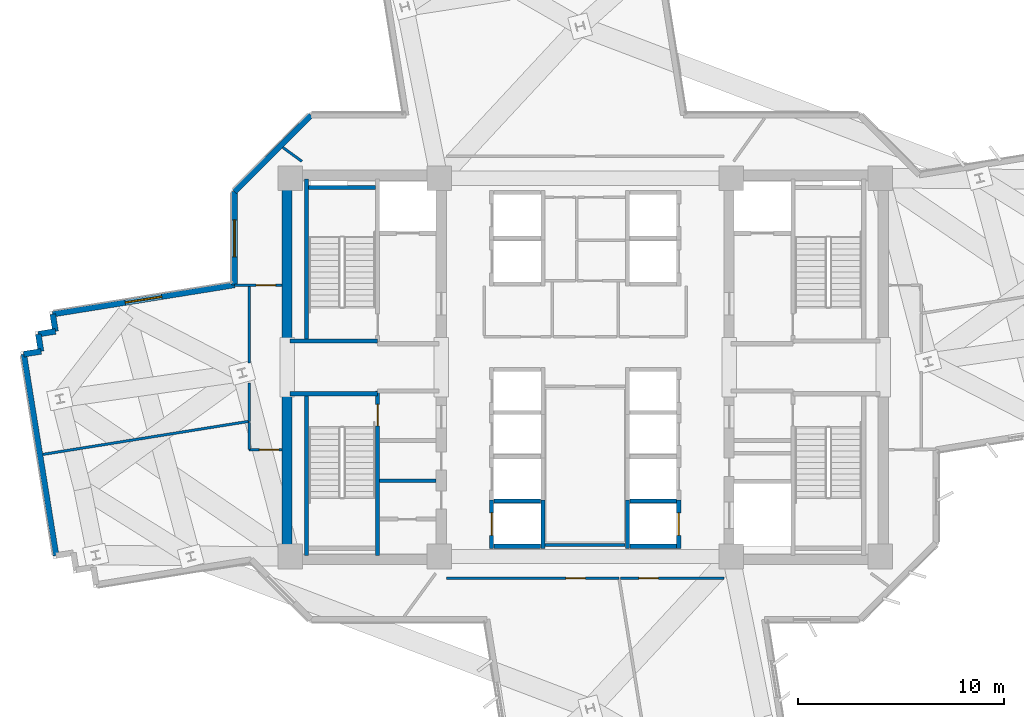
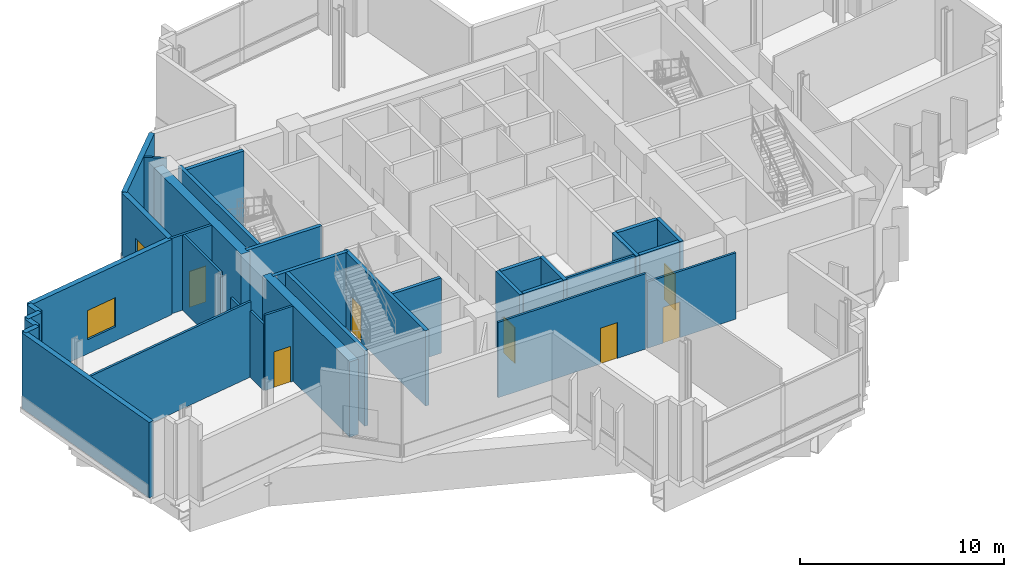
# One storey, part 5 of 12: 35 walls, 7 doors, 2 windows, 9 openings.
"""IFC4 building model written with IfcOpenShell, lengths in metres."""

from ifc_helpers import new_model, si_unit, direction, frame, frame_2d, origin, place, context, subcontext, project, spatial, rectangle, extrude, source, transform, mapped, material, layer, layer_set, type_object, element, fill, save


model = new_model("IFC4")

# Units and contexts
model_context = context("Model", 3, precision=1e-05, world=origin(), true_north=direction((0.0, 1.0)))
body_context = subcontext(model_context, "Body", "Model", "MODEL_VIEW")
ifc_project = project(units=[si_unit("LENGTHUNIT", "METRE"), si_unit("AREAUNIT", "SQUARE_METRE"), si_unit("VOLUMEUNIT", "CUBIC_METRE"), si_unit("PLANEANGLEUNIT", "RADIAN"), si_unit("MASSUNIT", "GRAM", prefix="KILO")], contexts=[model_context])

# Site, building, storey
site_placement = place(None, origin())
site = spatial("IfcSite", under=ifc_project, at=site_placement, CompositionType="ELEMENT")
building_placement = place(site_placement, origin())
building = spatial("IfcBuilding", under=site, at=building_placement, Name="Zahravan Cultural Tower", CompositionType="ELEMENT")
storey_placement = place(building_placement, frame((0.0, 0.0, 130.800048828125)))
storey = spatial("IfcBuildingStorey", under=building, at=storey_placement, Name="L29", CompositionType="ELEMENT", Elevation=130.800048828125)

# Wall, opening, window
ifc_material_1 = material(Name="Precast concrete C40/50", Category="concrete")
ifc_layer_1 = layer(ifc_material_1, 0.280029296875)
ifc_layer_set_1 = layer_set([ifc_layer_1], Name="Precast concrete C40/50")
wall_type_1 = type_object("IfcWallType", Name="EW-TC-280", PredefinedType="SOLIDWALL", material=ifc_layer_set_1)
wall_1_placement = place(storey_placement, frame((10.102294921875, 29.587890625, 0.0), z_axis=(0.0, 0.0, 1.0), x_axis=(0.987358970714, 0.158500040853, 0.0)))
wall_1 = element("IfcWall", 1, at=wall_1_placement, inside=storey, type_object=wall_type_1, Name="L29 Exterior Masonry Frame Wall 37", PredefinedType="SOLIDWALL", context=body_context, shape_type="SweptSolid", body=[
    extrude(rectangle(XDim=8.95068359375, YDim=0.280029296875, at=frame_2d((4.475341796875, 0.0))), origin(), (0.0, 0.0, 1.0), 4.52001953125),
])
opening_1_placement = place(wall_1_placement, frame((3.574951171875, 0.0, 0.85009765625)))
opening_1 = element("IfcOpeningElement", 2, at=opening_1_placement, cuts=wall_1, Name="Opening WN-02", PredefinedType="OPENING", context=body_context, shape_type="SweptSolid", body=[
    extrude(rectangle(XDim=1.800048828125, YDim=1.75, at=frame_2d((0.89990234375, 0.875))), frame((0.0, 0.14990234375, 0.0), z_axis=(0.0, -1.0, 0.0), x_axis=(1.0, 0.0, 0.0)), (0.0, 0.0, 1.0), 0.300048828125),
])
ifc_material_2 = material(Name="Low-E solar-control double glazing", Category="glass")
window_type = type_object("IfcWindowType", Name="WN-REC-1800X1750", PartitioningType="DOUBLE_PANEL_VERTICAL", PredefinedType="WINDOW", material=ifc_material_2)
shared_shape_1 = source(origin(), body_context, "Body", "SweptSolid", [
    extrude(rectangle(XDim=1.800048828125, YDim=1.75, at=frame_2d((0.89990234375, 0.875))), frame((0.0, 0.030029296875, 0.0), z_axis=(0.0, -1.0, 0.0), x_axis=(1.0, 0.0, 0.0)), (0.0, 0.0, 1.0), 0.06005859375),
])
window_1_placement = place(opening_1_placement, origin())
window_1 = element("IfcWindow", 3, at=window_1_placement, inside=storey, type_object=window_type, Name="L29 Recessed Solar Window 07", OverallHeight=1.75, OverallWidth=1.800048828125, PartitioningType="DOUBLE_PANEL_VERTICAL", PredefinedType="WINDOW", context=body_context, shape_type="MappedRepresentation", body=[
    mapped(shared_shape_1, transform((0.0, 0.0, 0.0), x_axis=(1.0, 0.0, 0.0), y_axis=(0.0, 1.0, 0.0), z_axis=(0.0, 0.0, 1.0), scale=1.0)),
])
fill(opening_1, window_1)

wall_2_placement = place(storey_placement, frame((18.93994140625, 31.006591796875, 0.0), z_axis=(0.0, 0.0, 1.0), x_axis=(0.0, 1.0, 0.0)))
wall_2 = element("IfcWall", 4, at=wall_2_placement, inside=storey, type_object=wall_type_1, Name="L29 Exterior Masonry Frame Wall 38", PredefinedType="SOLIDWALL", context=body_context, shape_type="SweptSolid", body=[
    extrude(rectangle(XDim=4.535400390625, YDim=0.280029296875, at=frame_2d((2.267578125, 0.0))), origin(), (0.0, 0.0, 1.0), 4.52001953125),
])
opening_2_placement = place(wall_2_placement, frame((1.367919921875, 0.0, 0.85009765625)))
opening_2 = element("IfcOpeningElement", 5, at=opening_2_placement, cuts=wall_2, Name="Opening WN-02", PredefinedType="OPENING", context=body_context, shape_type="SweptSolid", body=[
    extrude(rectangle(XDim=1.800048828125, YDim=1.75, at=frame_2d((0.89990234375, 0.875))), frame((0.0, 0.14990234375, 0.0), z_axis=(0.0, -1.0, 0.0), x_axis=(1.0, 0.0, 0.0)), (0.0, 0.0, 1.0), 0.300048828125),
])
window_2_placement = place(opening_2_placement, origin())
window_2 = element("IfcWindow", 6, at=window_2_placement, inside=storey, type_object=window_type, Name="L29 Recessed Solar Window 08", OverallHeight=1.75, OverallWidth=1.800048828125, PartitioningType="DOUBLE_PANEL_VERTICAL", PredefinedType="WINDOW", context=body_context, shape_type="MappedRepresentation", body=[
    mapped(shared_shape_1, transform((0.0, 0.0, 0.0), x_axis=(1.0, 0.0, 0.0), y_axis=(0.0, 1.0, 0.0), z_axis=(0.0, 0.0, 1.0), scale=1.0)),
])
fill(opening_2, window_2)

# Wall, opening, door
ifc_material_3 = material(Name="Gypsum plasterboard partition")
ifc_layer_2 = layer(ifc_material_3, 0.125)
ifc_layer_set_2 = layer_set([ifc_layer_2], Name="Gypsum plasterboard partition")
wall_type_2 = type_object("IfcWallType", Name="W-PART-125", PredefinedType="PARTITIONING", material=ifc_layer_set_2)
wall_3_placement = place(storey_placement, frame((29.257568359375, 16.740234375, 0.0), z_axis=(0.0, 0.0, 1.0), x_axis=(0.999999999577, -2.9101068e-05, 0.0)))
wall_3 = element("IfcWall", 7, at=wall_3_placement, inside=storey, type_object=wall_type_2, Name="L29 Interior Wall 085", PredefinedType="PARTITIONING", context=body_context, shape_type="SweptSolid", body=[
    extrude(rectangle(XDim=8.389404296875, YDim=0.125, at=frame_2d((4.19482421875, 0.0))), origin(), (0.0, 0.0, 1.0), 4.52001953125),
])
opening_3_placement = place(wall_3_placement, frame((5.802734375, 0.0, 0.0)))
opening_3 = element("IfcOpeningElement", 8, at=opening_3_placement, cuts=wall_3, Name="Opening D-L29-24", PredefinedType="OPENING", context=body_context, shape_type="SweptSolid", body=[
    extrude(rectangle(XDim=0.949951171875, YDim=2.14990234375, at=frame_2d((0.47509765625, 1.074951171875))), frame((0.0, 0.072509765625, 0.0), z_axis=(0.0, -1.0, 0.0), x_axis=(1.0, 0.0, 0.0)), (0.0, 0.0, 1.0), 0.14501953125),
])
ifc_material_4 = material(Name="Anodised bronze-aluminium mullion", Category="aluminium")
door_type_1 = type_object("IfcDoorType", Name="DR-ROOM-950", OperationType="NOTDEFINED", PredefinedType="DOOR", material=ifc_material_4)
shared_shape_2 = source(origin(), body_context, "Body", "SweptSolid", [
    extrude(rectangle(XDim=0.949951171875, YDim=2.14990234375, at=frame_2d((0.47509765625, 1.074951171875))), frame((0.0, 0.02490234375, 0.0), z_axis=(0.0, -1.0, 0.0), x_axis=(1.0, 0.0, 0.0)), (0.0, 0.0, 1.0), 0.050048828125),
])
door_1_placement = place(opening_3_placement, origin())
door_1 = element("IfcDoor", 9, at=door_1_placement, inside=storey, type_object=door_type_1, Name="L29 Door D-L29-24", OperationType="SINGLE_SWING_LEFT", OverallHeight=2.14990234375, OverallWidth=0.949951171875, PredefinedType="DOOR", context=body_context, shape_type="MappedRepresentation", body=[
    mapped(shared_shape_2, transform((0.0, 0.0, 0.0), x_axis=(1.0, 0.0, 0.0), y_axis=(0.0, 1.0, 0.0), z_axis=(0.0, 0.0, 1.0), scale=1.0)),
])
fill(opening_3, door_1)

wall_4_placement = place(storey_placement, frame((37.71533203125, 16.739990234375, 0.0), z_axis=(0.0, 0.0, 1.0), x_axis=(0.999999998821, 4.8564907e-05, 0.0)))
wall_4 = element("IfcWall", 10, at=wall_4_placement, inside=storey, type_object=wall_type_2, Name="L29 Interior Wall 088", PredefinedType="PARTITIONING", context=body_context, shape_type="SweptSolid", body=[
    extrude(rectangle(XDim=5.027099609375, YDim=0.125, at=frame_2d((2.513671875, 0.0))), origin(), (0.0, 0.0, 1.0), 3.97900390625),
])
opening_4_placement = place(wall_4_placement, frame((0.89697265625, 0.0, 0.0)))
opening_4 = element("IfcOpeningElement", 11, at=opening_4_placement, cuts=wall_4, Name="Opening D-L29-25", PredefinedType="OPENING", context=body_context, shape_type="SweptSolid", body=[
    extrude(rectangle(XDim=0.949951171875, YDim=2.14990234375, at=frame_2d((0.47509765625, 1.074951171875))), frame((0.0, 0.072509765625, 0.0), z_axis=(0.0, -1.0, 0.0), x_axis=(1.0, 0.0, 0.0)), (0.0, 0.0, 1.0), 0.14501953125),
])
door_2_placement = place(opening_4_placement, origin())
door_2 = element("IfcDoor", 12, at=door_2_placement, inside=storey, type_object=door_type_1, Name="L29 Door D-L29-25", OperationType="SINGLE_SWING_RIGHT", OverallHeight=2.14990234375, OverallWidth=0.949951171875, PredefinedType="DOOR", context=body_context, shape_type="MappedRepresentation", body=[
    mapped(shared_shape_2, transform((0.0, 0.0, 0.0), x_axis=(1.0, 0.0, 0.0), y_axis=(0.0, 1.0, 0.0), z_axis=(0.0, 0.0, 1.0), scale=1.0)),
])
fill(opening_4, door_2)

wall_5_placement = place(storey_placement, frame((21.2451171875, 30.999755859375, 0.0), z_axis=(0.0, 0.0, 1.0), x_axis=(-0.999995920983, -0.002856224465, 0.0)))
wall_5 = element("IfcWall", 13, at=wall_5_placement, inside=storey, type_object=wall_type_2, Name="L29 Interior Wall 094", PredefinedType="PARTITIONING", context=body_context, shape_type="SweptSolid", body=[
    extrude(rectangle(XDim=2.307861328125, YDim=0.125, at=frame_2d((1.15380859375, 0.0))), origin(), (0.0, 0.0, 1.0), 4.52001953125),
])
opening_5_placement = place(wall_5_placement, frame((0.298583984375, 0.0, 0.0)))
opening_5 = element("IfcOpeningElement", 14, at=opening_5_placement, cuts=wall_5, Name="Opening D-L29-21", PredefinedType="OPENING", context=body_context, shape_type="SweptSolid", body=[
    extrude(rectangle(XDim=0.949951171875, YDim=2.14990234375, at=frame_2d((0.47509765625, 1.074951171875))), frame((0.0, 0.072509765625, 0.0), z_axis=(0.0, -1.0, 0.0), x_axis=(1.0, 0.0, 0.0)), (0.0, 0.0, 1.0), 0.14501953125),
])
door_3_placement = place(opening_5_placement, origin())
door_3 = element("IfcDoor", 15, at=door_3_placement, inside=storey, type_object=door_type_1, Name="L29 Door D-L29-21", OperationType="SINGLE_SWING_RIGHT", OverallHeight=2.14990234375, OverallWidth=0.949951171875, PredefinedType="DOOR", context=body_context, shape_type="MappedRepresentation", body=[
    mapped(shared_shape_2, transform((0.0, 0.0, 0.0), x_axis=(1.0, 0.0, 0.0), y_axis=(0.0, 1.0, 0.0), z_axis=(0.0, 0.0, 1.0), scale=1.0)),
])
fill(opening_5, door_3)

wall_6_placement = place(storey_placement, frame((19.65087890625, 23.0009765625, 0.0), z_axis=(0.0, 0.0, 1.0), x_axis=(0.999999812387, -0.000612557312, 0.0)))
wall_6 = element("IfcWall", 16, at=wall_6_placement, inside=storey, type_object=wall_type_2, Name="L29 Interior Wall 103", PredefinedType="PARTITIONING", context=body_context, shape_type="SweptSolid", body=[
    extrude(rectangle(XDim=1.59423828125, YDim=0.125, at=frame_2d((0.797119140625, 0.0))), origin(), (0.0, 0.0, 1.0), 4.52001953125),
])
opening_6_placement = place(wall_6_placement, frame((0.502197265625, 0.0, 0.0)))
opening_6 = element("IfcOpeningElement", 17, at=opening_6_placement, cuts=wall_6, Name="Opening D-L29-22", PredefinedType="OPENING", context=body_context, shape_type="SweptSolid", body=[
    extrude(rectangle(XDim=0.949951171875, YDim=2.14990234375, at=frame_2d((0.47509765625, 1.074951171875))), frame((0.0, 0.072509765625, 0.0), z_axis=(0.0, -1.0, 0.0), x_axis=(1.0, 0.0, 0.0)), (0.0, 0.0, 1.0), 0.14501953125),
])
door_4_placement = place(opening_6_placement, origin())
door_4 = element("IfcDoor", 18, at=door_4_placement, inside=storey, type_object=door_type_1, Name="L29 Door D-L29-22", OperationType="SINGLE_SWING_LEFT", OverallHeight=2.14990234375, OverallWidth=0.949951171875, PredefinedType="DOOR", context=body_context, shape_type="MappedRepresentation", body=[
    mapped(shared_shape_2, transform((0.0, 0.0, 0.0), x_axis=(1.0, 0.0, 0.0), y_axis=(0.0, 1.0, 0.0), z_axis=(0.0, 0.0, 1.0), scale=1.0)),
])
fill(opening_6, door_4)

ifc_material_5 = material(Name="Concrete C45/55", Category="concrete")
ifc_layer_3 = layer(ifc_material_5, 0.199951171875)
ifc_layer_set_3 = layer_set([ifc_layer_3], Name="Concrete C45/55")
wall_type_3 = type_object("IfcWallType", Name="W-SHAFT-200", PredefinedType="SOLIDWALL", material=ifc_layer_set_3)
wall_7_placement = place(storey_placement, frame((25.89990234375, 17.85009765625, 0.0), z_axis=(0.0, 0.0, 1.0), x_axis=(0.0, 1.0, 0.0)))
wall_7 = element("IfcWall", 19, at=wall_7_placement, inside=storey, type_object=wall_type_3, Name="L29 Interior Wall 005", PredefinedType="SOLIDWALL", context=body_context, shape_type="SweptSolid", body=[
    extrude(rectangle(XDim=8.0, YDim=0.199951171875, at=frame_2d((4.0, 0.0))), origin(), (0.0, 0.0, 1.0), 4.52001953125),
])
opening_7_placement = place(wall_7_placement, frame((6.300048828125, 0.0, 0.0)))
opening_7 = element("IfcOpeningElement", 20, at=opening_7_placement, cuts=wall_7, Name="Opening D-L29-04", PredefinedType="OPENING", context=body_context, shape_type="SweptSolid", body=[
    extrude(rectangle(XDim=1.050048828125, YDim=2.14990234375, at=frame_2d((0.52490234375, 1.074951171875))), frame((0.0, 0.10986328125, 0.0), z_axis=(0.0, -1.0, 0.0), x_axis=(1.0, 0.0, 0.0)), (0.0, 0.0, 1.0), 0.219970703125),
])
ifc_material_6 = material(Name="Steel ASTM A572 Grade 50", Category="steel")
door_type_2 = type_object("IfcDoorType", Name="DR-STAIR-1050", OperationType="NOTDEFINED", PredefinedType="DOOR", material=ifc_material_6)
shared_shape_3 = source(origin(), body_context, "Body", "SweptSolid", [
    extrude(rectangle(XDim=1.050048828125, YDim=2.14990234375, at=frame_2d((0.52490234375, 1.074951171875))), frame((0.0, 0.02490234375, 0.0), z_axis=(0.0, -1.0, 0.0), x_axis=(1.0, 0.0, 0.0)), (0.0, 0.0, 1.0), 0.050048828125),
])
door_5_placement = place(opening_7_placement, origin())
door_5 = element("IfcDoor", 21, at=door_5_placement, inside=storey, type_object=door_type_2, Name="L29 Door D-L29-04", OperationType="SINGLE_SWING_LEFT", OverallHeight=2.14990234375, OverallWidth=1.050048828125, PredefinedType="DOOR", context=body_context, shape_type="MappedRepresentation", body=[
    mapped(shared_shape_3, transform((0.0, 0.0, 0.0), x_axis=(1.0, 0.0, 0.0), y_axis=(0.0, 1.0, 0.0), z_axis=(0.0, 0.0, 1.0), scale=1.0)),
])
fill(opening_7, door_5)

wall_8_placement = place(storey_placement, frame((31.449951171875, 18.199951171875, 0.0), z_axis=(0.0, 0.0, 1.0), x_axis=(0.0, 1.0, 0.0)))
wall_8 = element("IfcWall", 22, at=wall_8_placement, inside=storey, type_object=wall_type_3, Name="L29 Interior Wall 047", PredefinedType="SOLIDWALL", context=body_context, shape_type="SweptSolid", body=[
    extrude(rectangle(XDim=2.35009765625, YDim=0.199951171875, at=frame_2d((1.175048828125, 0.0))), origin(), (0.0, 0.0, 1.0), 4.52001953125),
])
opening_8_placement = place(wall_8_placement, frame((0.625, 0.0, 0.0)))
opening_8 = element("IfcOpeningElement", 23, at=opening_8_placement, cuts=wall_8, Name="Opening LD-L29-09", PredefinedType="OPENING", context=body_context, shape_type="SweptSolid", body=[
    extrude(rectangle(XDim=1.10009765625, YDim=2.14990234375, at=frame_2d((0.550048828125, 1.074951171875))), frame((0.0, 0.10986328125, 0.0), z_axis=(0.0, -1.0, 0.0), x_axis=(1.0, 0.0, 0.0)), (0.0, 0.0, 1.0), 0.219970703125),
])
door_type_3 = type_object("IfcDoorType", Name="DR-LIFT-1100", OperationType="DOUBLE_DOOR_SLIDING", PredefinedType="DOOR", material=ifc_material_6)
shared_shape_4 = source(origin(), body_context, "Body", "SweptSolid", [
    extrude(rectangle(XDim=1.10009765625, YDim=2.14990234375, at=frame_2d((0.550048828125, 1.074951171875))), frame((0.0, 0.02490234375, 0.0), z_axis=(0.0, -1.0, 0.0), x_axis=(1.0, 0.0, 0.0)), (0.0, 0.0, 1.0), 0.050048828125),
])
door_6_placement = place(opening_8_placement, origin())
door_6 = element("IfcDoor", 24, at=door_6_placement, inside=storey, type_object=door_type_3, Name="L29 Door LD-L29-09", OperationType="DOUBLE_DOOR_SLIDING", OverallHeight=2.14990234375, OverallWidth=1.10009765625, PredefinedType="DOOR", context=body_context, shape_type="MappedRepresentation", body=[
    mapped(shared_shape_4, transform((0.0, 0.0, 0.0), x_axis=(1.0, 0.0, 0.0), y_axis=(0.0, 1.0, 0.0), z_axis=(0.0, 0.0, 1.0), scale=1.0)),
])
fill(opening_8, door_6)

wall_9_placement = place(storey_placement, frame((40.550048828125, 18.199951171875, 0.0), z_axis=(0.0, 0.0, 1.0), x_axis=(0.0, 1.0, 0.0)))
wall_9 = element("IfcWall", 25, at=wall_9_placement, inside=storey, type_object=wall_type_3, Name="L29 Interior Wall 055", PredefinedType="SOLIDWALL", context=body_context, shape_type="SweptSolid", body=[
    extrude(rectangle(XDim=2.35009765625, YDim=0.199951171875, at=frame_2d((1.175048828125, 0.0))), origin(), (0.0, 0.0, 1.0), 4.52001953125),
])
opening_9_placement = place(wall_9_placement, frame((0.625, 0.0, 0.0)))
opening_9 = element("IfcOpeningElement", 26, at=opening_9_placement, cuts=wall_9, Name="Opening LD-L29-11", PredefinedType="OPENING", context=body_context, shape_type="SweptSolid", body=[
    extrude(rectangle(XDim=1.10009765625, YDim=2.14990234375, at=frame_2d((0.550048828125, 1.074951171875))), frame((0.0, 0.10986328125, 0.0), z_axis=(0.0, -1.0, 0.0), x_axis=(1.0, 0.0, 0.0)), (0.0, 0.0, 1.0), 0.219970703125),
])
door_7_placement = place(opening_9_placement, origin())
door_7 = element("IfcDoor", 27, at=door_7_placement, inside=storey, type_object=door_type_3, Name="L29 Door LD-L29-11", OperationType="DOUBLE_DOOR_SLIDING", OverallHeight=2.14990234375, OverallWidth=1.10009765625, PredefinedType="DOOR", context=body_context, shape_type="MappedRepresentation", body=[
    mapped(shared_shape_4, transform((0.0, 0.0, 0.0), x_axis=(1.0, 0.0, 0.0), y_axis=(0.0, 1.0, 0.0), z_axis=(0.0, 0.0, 1.0), scale=1.0)),
])
fill(opening_9, door_7)

# Walls
ifc_material_7 = material(Name="Concrete C60/75", Category="concrete")
ifc_layer_4 = layer(ifc_material_7, 0.5)
ifc_layer_set_4 = layer_set([ifc_layer_4], Name="Concrete C60/75")
wall_type_4 = type_object("IfcWallType", Name="CW-SHEAR-500-C60", PredefinedType="SHEAR", material=ifc_layer_set_4)
shared_shape_5 = source(origin(), body_context, "Body", "SweptSolid", [
    extrude(rectangle(XDim=8.550048828125, YDim=0.5, at=frame_2d((4.27490234375, 0.0))), origin(), (0.0, 0.0, 1.0), 4.52001953125),
])
for number, where, z_axis, x_axis, name in (
    (28, (21.5, 17.39990234375, 0.0), (0.0, 0.0, 1.0), (0.0, 1.0, 0.0), "L29 Core Shear Wall CW-W-WS-L29"),
    (29, (21.5, 28.050048828125, 0.0), (0.0, 0.0, 1.0), (0.0, 1.0, 0.0), "L29 Core Shear Wall CW-W-WN-L29"),
):
    element("IfcWall", number, at=place(storey_placement, frame(where, z_axis=z_axis, x_axis=x_axis)), inside=storey, type_object=wall_type_4, Name=name, PredefinedType="SHEAR", context=body_context, shape_type="MappedRepresentation", body=[
        mapped(shared_shape_5, transform((0.0, 0.0, 0.0), x_axis=(1.0, 0.0, 0.0), y_axis=(0.0, 1.0, 0.0), z_axis=(0.0, 0.0, 1.0), scale=1.0)),
    ])
shared_shape_6 = source(origin(), body_context, "Body", "SweptSolid", [
    extrude(rectangle(XDim=0.849853515625, YDim=0.280029296875, at=frame_2d((0.4248046875, 0.0))), origin(), (0.0, 0.0, 1.0), 4.52001953125),
])
for number, where, z_axis, x_axis, name in (
    (30, (9.39794921875, 28.614013671875, 0.0), (0.0, 0.0, 1.0), (0.98734724292, 0.15857308062, 0.0), "L29 Exterior Masonry Frame Wall 35"),
    (31, (10.237060546875, 28.748779296875, 0.0), (0.0, 0.0, 1.0), (-0.15857308062, 0.98734724292, 0.0), "L29 Exterior Masonry Frame Wall 36"),
):
    element("IfcWall", number, at=place(storey_placement, frame(where, z_axis=z_axis, x_axis=x_axis)), inside=storey, type_object=wall_type_1, Name=name, PredefinedType="SOLIDWALL", context=body_context, shape_type="MappedRepresentation", body=[
        mapped(shared_shape_6, transform((0.0, 0.0, 0.0), x_axis=(1.0, 0.0, 0.0), y_axis=(0.0, 1.0, 0.0), z_axis=(0.0, 0.0, 1.0), scale=1.0)),
    ])
shared_shape_7 = source(origin(), body_context, "Body", "SweptSolid", [
    extrude(rectangle(XDim=0.85009765625, YDim=0.280029296875, at=frame_2d((0.425048828125, 0.0))), origin(), (0.0, 0.0, 1.0), 4.52001953125),
])
for number, where, z_axis, x_axis, name in (
    (32, (8.693359375, 27.639892578125, 0.0), (0.0, 0.0, 1.0), (0.987354463376, 0.158528116284, 0.0), "L29 Exterior Masonry Frame Wall 33"),
    (33, (9.53271484375, 27.774658203125, 0.0), (0.0, 0.0, 1.0), (-0.158528116284, 0.987354463376, 0.0), "L29 Exterior Masonry Frame Wall 34"),
):
    element("IfcWall", number, at=place(storey_placement, frame(where, z_axis=z_axis, x_axis=x_axis)), inside=storey, type_object=wall_type_1, Name=name, PredefinedType="SOLIDWALL", context=body_context, shape_type="MappedRepresentation", body=[
        mapped(shared_shape_7, transform((0.0, 0.0, 0.0), x_axis=(1.0, 0.0, 0.0), y_axis=(0.0, 1.0, 0.0), z_axis=(0.0, 0.0, 1.0), scale=1.0)),
    ])
shared_shape_8 = source(origin(), body_context, "Body", "SweptSolid", [
    extrude(rectangle(XDim=9.920166015625, YDim=0.280029296875, at=frame_2d((4.9599609375, 0.0))), origin(), (0.0, 0.0, 1.0), 4.52001953125),
])
wall_10_placement = place(storey_placement, frame((10.265625, 17.84521484375, 0.0), z_axis=(0.0, 0.0, 1.0), x_axis=(-0.158493446705, 0.987360029246, 0.0)))
element("IfcWall", 34, at=wall_10_placement, inside=storey, type_object=wall_type_1, Name="L29 Exterior Masonry Frame Wall 32", PredefinedType="SOLIDWALL", context=body_context, shape_type="MappedRepresentation", body=[
    mapped(shared_shape_8, transform((0.0, 0.0, 0.0), x_axis=(1.0, 0.0, 0.0), y_axis=(0.0, 1.0, 0.0), z_axis=(0.0, 0.0, 1.0), scale=1.0)),
])
shared_shape_9 = source(origin(), body_context, "Body", "SweptSolid", [
    extrude(rectangle(XDim=5.258056640625, YDim=0.280029296875, at=frame_2d((2.62890625, 0.0))), origin(), (0.0, 0.0, 1.0), 4.52001953125),
])
wall_11_placement = place(storey_placement, frame((18.93994140625, 35.5419921875, 0.0), z_axis=(0.0, 0.0, 1.0), x_axis=(0.707106781187, 0.707106781187, 0.0)))
element("IfcWall", 35, at=wall_11_placement, inside=storey, type_object=wall_type_1, Name="L29 Exterior Masonry Frame Wall 39", PredefinedType="SOLIDWALL", context=body_context, shape_type="MappedRepresentation", body=[
    mapped(shared_shape_9, transform((0.0, 0.0, 0.0), x_axis=(1.0, 0.0, 0.0), y_axis=(0.0, 1.0, 0.0), z_axis=(0.0, 0.0, 1.0), scale=1.0)),
])
shared_shape_10 = source(origin(), body_context, "Body", "SweptSolid", [
    extrude(rectangle(XDim=7.869873046875, YDim=0.199951171875, at=frame_2d((3.93505859375, 0.0))), origin(), (0.0, 0.0, 1.0), 4.52001953125),
])
for number, where, z_axis, x_axis, name in (
    (36, (22.449951171875, 17.85009765625, 0.0), (0.0, 0.0, 1.0), (0.0, 1.0, 0.0), "L29 Interior Wall 001"),
    (37, (22.449951171875, 28.280029296875, 0.0), (0.0, 0.0, 1.0), (0.0, 1.0, 0.0), "L29 Interior Wall 002"),
):
    element("IfcWall", number, at=place(storey_placement, frame(where, z_axis=z_axis, x_axis=x_axis)), inside=storey, type_object=wall_type_3, Name=name, PredefinedType="SOLIDWALL", context=body_context, shape_type="MappedRepresentation", body=[
        mapped(shared_shape_10, transform((0.0, 0.0, 0.0), x_axis=(1.0, 0.0, 0.0), y_axis=(0.0, 1.0, 0.0), z_axis=(0.0, 0.0, 1.0), scale=1.0)),
    ])
shared_shape_11 = source(origin(), body_context, "Body", "SweptSolid", [
    extrude(rectangle(XDim=4.25, YDim=0.199951171875, at=frame_2d((2.125, 0.0))), origin(), (0.0, 0.0, 1.0), 4.52001953125),
])
for number, where, z_axis, x_axis, name in (
    (38, (21.64990234375, 25.715087890625, 0.0), (0.0, 0.0, 1.0), (1.0, 0.0, 0.0), "L29 Interior Wall 009"),
    (39, (21.64990234375, 28.284912109375, 0.0), (0.0, 0.0, 1.0), (1.0, 0.0, 0.0), "L29 Interior Wall 011"),
):
    element("IfcWall", number, at=place(storey_placement, frame(where, z_axis=z_axis, x_axis=x_axis)), inside=storey, type_object=wall_type_3, Name=name, PredefinedType="SOLIDWALL", context=body_context, shape_type="MappedRepresentation", body=[
        mapped(shared_shape_11, transform((0.0, 0.0, 0.0), x_axis=(1.0, 0.0, 0.0), y_axis=(0.0, 1.0, 0.0), z_axis=(0.0, 0.0, 1.0), scale=1.0)),
    ])
shared_shape_12 = source(origin(), body_context, "Body", "SweptSolid", [
    extrude(rectangle(XDim=3.25, YDim=0.199951171875, at=frame_2d((1.625, 0.0))), origin(), (0.0, 0.0, 1.0), 4.52001953125),
])
wall_12_placement = place(storey_placement, frame((22.550048828125, 35.75, 0.0), z_axis=(0.0, 0.0, 1.0), x_axis=(1.0, 0.0, 0.0)))
element("IfcWall", 40, at=wall_12_placement, inside=storey, type_object=wall_type_3, Name="L29 Interior Wall 017", PredefinedType="SOLIDWALL", context=body_context, shape_type="MappedRepresentation", body=[
    mapped(shared_shape_12, transform((0.0, 0.0, 0.0), x_axis=(1.0, 0.0, 0.0), y_axis=(0.0, 1.0, 0.0), z_axis=(0.0, 0.0, 1.0), scale=1.0)),
])
ifc_layer_5 = layer(ifc_material_3, 0.179931640625)
ifc_layer_set_5 = layer_set([ifc_layer_5], Name="Gypsum plasterboard partition")
wall_type_5 = type_object("IfcWallType", Name="W-COMP-180", PredefinedType="PARTITIONING", material=ifc_layer_set_5)
shared_shape_13 = source(origin(), body_context, "Body", "SweptSolid", [
    extrude(rectangle(XDim=2.75, YDim=0.179931640625, at=frame_2d((1.375, 0.0))), origin(), (0.0, 0.0, 1.0), 4.52001953125),
])
wall_13_placement = place(storey_placement, frame((26.0, 21.47998046875, 0.0), z_axis=(0.0, 0.0, 1.0), x_axis=(1.0, 0.0, 0.0)))
element("IfcWall", 41, at=wall_13_placement, inside=storey, type_object=wall_type_5, Name="L29 Interior Wall 027", PredefinedType="PARTITIONING", context=body_context, shape_type="MappedRepresentation", body=[
    mapped(shared_shape_13, transform((0.0, 0.0, 0.0), x_axis=(1.0, 0.0, 0.0), y_axis=(0.0, 1.0, 0.0), z_axis=(0.0, 0.0, 1.0), scale=1.0)),
])
shared_shape_14 = source(origin(), body_context, "Body", "SweptSolid", [
    extrude(rectangle(XDim=2.260009765625, YDim=0.199951171875, at=frame_2d((1.1298828125, 0.0))), origin(), (0.0, 0.0, 1.0), 4.52001953125),
])
for number, where, z_axis, x_axis, name in (
    (42, (31.570068359375, 20.5, 0.0), (0.0, 0.0, 1.0), (1.0, 0.0, 0.0), "L29 Interior Wall 045"),
    (43, (31.570068359375, 18.300048828125, 0.0), (0.0, 0.0, 1.0), (1.0, 0.0, 0.0), "L29 Interior Wall 049"),
    (44, (38.169921875, 20.5, 0.0), (0.0, 0.0, 1.0), (1.0, 0.0, 0.0), "L29 Interior Wall 052"),
    (45, (38.169921875, 18.300048828125, 0.0), (0.0, 0.0, 1.0), (1.0, 0.0, 0.0), "L29 Interior Wall 056"),
):
    element("IfcWall", number, at=place(storey_placement, frame(where, z_axis=z_axis, x_axis=x_axis)), inside=storey, type_object=wall_type_3, Name=name, PredefinedType="SOLIDWALL", context=body_context, shape_type="MappedRepresentation", body=[
        mapped(shared_shape_14, transform((0.0, 0.0, 0.0), x_axis=(1.0, 0.0, 0.0), y_axis=(0.0, 1.0, 0.0), z_axis=(0.0, 0.0, 1.0), scale=1.0)),
    ])
shared_shape_15 = source(origin(), body_context, "Body", "SweptSolid", [
    extrude(rectangle(XDim=2.35009765625, YDim=0.199951171875, at=frame_2d((1.175048828125, 0.0))), origin(), (0.0, 0.0, 1.0), 4.52001953125),
])
for number, where, z_axis, x_axis, name in (
    (46, (33.949951171875, 18.199951171875, 0.0), (0.0, 0.0, 1.0), (0.0, 1.0, 0.0), "L29 Interior Wall 048"),
    (47, (38.050048828125, 18.199951171875, 0.0), (0.0, 0.0, 1.0), (0.0, 1.0, 0.0), "L29 Interior Wall 054"),
):
    element("IfcWall", number, at=place(storey_placement, frame(where, z_axis=z_axis, x_axis=x_axis)), inside=storey, type_object=wall_type_3, Name=name, PredefinedType="SOLIDWALL", context=body_context, shape_type="MappedRepresentation", body=[
        mapped(shared_shape_15, transform((0.0, 0.0, 0.0), x_axis=(1.0, 0.0, 0.0), y_axis=(0.0, 1.0, 0.0), z_axis=(0.0, 0.0, 1.0), scale=1.0)),
    ])
shared_shape_16 = source(origin(), body_context, "Body", "SweptSolid", [
    extrude(rectangle(XDim=3.89013671875, YDim=0.125, at=frame_2d((1.945068359375, 0.0))), origin(), (0.0, 0.0, 1.0), 4.52001953125),
])
wall_14_placement = place(storey_placement, frame((37.945068359375, 18.360107421875, 0.0), z_axis=(0.0, 0.0, 1.0), x_axis=(-1.0, 0.0, 0.0)))
element("IfcWall", 48, at=wall_14_placement, inside=storey, type_object=wall_type_2, Name="L29 Interior Wall 083", PredefinedType="PARTITIONING", context=body_context, shape_type="MappedRepresentation", body=[
    mapped(shared_shape_16, transform((0.0, 0.0, 0.0), x_axis=(1.0, 0.0, 0.0), y_axis=(0.0, 1.0, 0.0), z_axis=(0.0, 0.0, 1.0), scale=1.0)),
])
shared_shape_17 = source(origin(), body_context, "Body", "SweptSolid", [
    extrude(rectangle(XDim=3.71875, YDim=0.125, at=frame_2d((1.859375, 0.0))), origin(), (0.0, 0.0, 1.0), 4.52001953125),
])
wall_15_placement = place(storey_placement, frame((19.651123046875, 30.927734375, 0.0), z_axis=(0.0, 0.0, 1.0), x_axis=(-0.000328256285, -0.999999946124, 0.0)))
element("IfcWall", 49, at=wall_15_placement, inside=storey, type_object=wall_type_2, Name="L29 Interior Wall 095", PredefinedType="PARTITIONING", context=body_context, shape_type="MappedRepresentation", body=[
    mapped(shared_shape_17, transform((0.0, 0.0, 0.0), x_axis=(1.0, 0.0, 0.0), y_axis=(0.0, 1.0, 0.0), z_axis=(0.0, 0.0, 1.0), scale=1.0)),
])
shared_shape_18 = source(origin(), body_context, "Body", "SweptSolid", [
    extrude(rectangle(XDim=1.873779296875, YDim=0.125, at=frame_2d((0.93701171875, 0.0))), origin(), (0.0, 0.0, 1.0), 3.593017578125),
])
wall_16_placement = place(storey_placement, frame((19.64990234375, 26.2490234375, 0.0), z_axis=(0.0, 0.0, 1.0), x_axis=(0.0, -1.0, 0.0)))
element("IfcWall", 50, at=wall_16_placement, inside=storey, type_object=wall_type_2, Name="L29 Interior Wall 096", PredefinedType="PARTITIONING", context=body_context, shape_type="MappedRepresentation", body=[
    mapped(shared_shape_18, transform((0.0, 0.0, 0.0), x_axis=(1.0, 0.0, 0.0), y_axis=(0.0, 1.0, 0.0), z_axis=(0.0, 0.0, 1.0), scale=1.0)),
])
shared_shape_19 = source(origin(), body_context, "Body", "SweptSolid", [
    extrude(rectangle(XDim=10.155517578125, YDim=0.125, at=frame_2d((5.07763671875, 0.0))), origin(), (0.0, 0.0, 1.0), 4.52001953125),
])
wall_17_placement = place(storey_placement, frame((19.64990234375, 24.375244140625, 0.0), z_axis=(0.0, 0.0, 1.0), x_axis=(-0.987359342163, -0.158497726933, 0.0)))
element("IfcWall", 51, at=wall_17_placement, inside=storey, type_object=wall_type_2, Name="L29 Interior Wall 097", PredefinedType="PARTITIONING", context=body_context, shape_type="MappedRepresentation", body=[
    mapped(shared_shape_19, transform((0.0, 0.0, 0.0), x_axis=(1.0, 0.0, 0.0), y_axis=(0.0, 1.0, 0.0), z_axis=(0.0, 0.0, 1.0), scale=1.0)),
])
shared_shape_20 = source(origin(), body_context, "Body", "SweptSolid", [
    extrude(rectangle(XDim=1.14208984375, YDim=0.125, at=frame_2d((0.571044921875, 0.0))), origin(), (0.0, 0.0, 1.0), 4.52001953125),
])
wall_18_placement = place(storey_placement, frame((21.296630859375, 37.693603515625, 0.0), z_axis=(0.0, 0.0, 1.0), x_axis=(0.807579073196, -0.589759307291, 0.0)))
element("IfcWall", 52, at=wall_18_placement, inside=storey, type_object=wall_type_2, Name="L29 Interior Wall 098", PredefinedType="PARTITIONING", context=body_context, shape_type="MappedRepresentation", body=[
    mapped(shared_shape_20, transform((0.0, 0.0, 0.0), x_axis=(1.0, 0.0, 0.0), y_axis=(0.0, 1.0, 0.0), z_axis=(0.0, 0.0, 1.0), scale=1.0)),
])
shared_shape_21 = source(origin(), body_context, "Body", "SweptSolid", [
    extrude(rectangle(XDim=1.305908203125, YDim=0.125, at=frame_2d((0.65283203125, 0.0))), origin(), (0.0, 0.0, 1.0), 3.97900390625),
])
wall_19_placement = place(storey_placement, frame((19.64990234375, 24.306884765625, 0.0), z_axis=(0.0, 0.0, 1.0), x_axis=(0.000747803119, -0.999999720395, 0.0)))
element("IfcWall", 53, at=wall_19_placement, inside=storey, type_object=wall_type_2, Name="L29 Interior Wall 102", PredefinedType="PARTITIONING", context=body_context, shape_type="MappedRepresentation", body=[
    mapped(shared_shape_21, transform((0.0, 0.0, 0.0), x_axis=(1.0, 0.0, 0.0), y_axis=(0.0, 1.0, 0.0), z_axis=(0.0, 0.0, 1.0), scale=1.0)),
])

save(model, "model.ifc")
